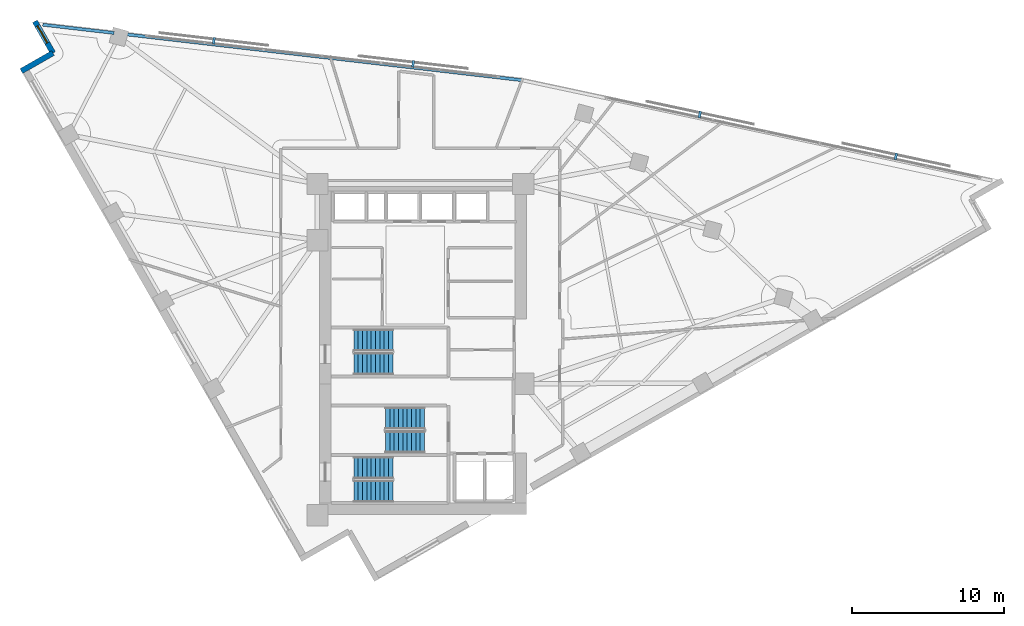
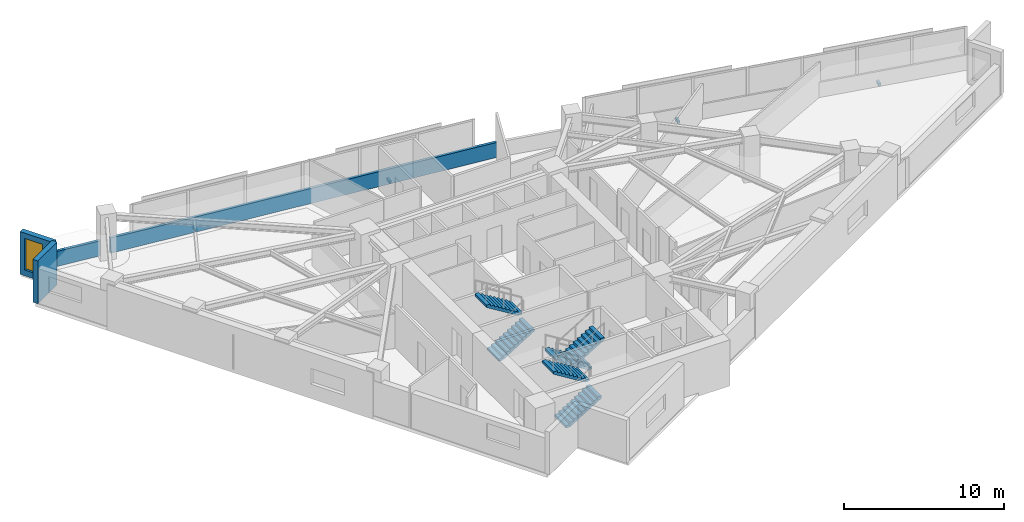
# One storey, part 12 of 14: 6 stair flights, 4 discrete accessories, 4 walls, 1 window, 1 opening, 3 elements without a shape of their own.
"""IFC4 building model written with IfcOpenShell, lengths in metres."""

from ifc_helpers import new_model, si_unit, direction, frame, frame_2d, origin, origin_2d, place, context, subcontext, project, spatial, polyline, rectangle, outline, extrude, material, layer, layer_set, type_object, element, fill, aggregate, save


model = new_model("IFC4")

# Units and contexts
model_context = context("Model", 3, precision=1e-05, world=origin(), true_north=direction((0.0, 1.0)))
body_context = subcontext(model_context, "Body", "Model", "MODEL_VIEW")
ifc_project = project(units=[si_unit("LENGTHUNIT", "METRE"), si_unit("AREAUNIT", "SQUARE_METRE"), si_unit("VOLUMEUNIT", "CUBIC_METRE"), si_unit("PLANEANGLEUNIT", "RADIAN"), si_unit("MASSUNIT", "GRAM", prefix="KILO")], contexts=[model_context])

# Site, building, storey
site_placement = place(None, origin())
site = spatial("IfcSite", under=ifc_project, at=site_placement, CompositionType="ELEMENT")
building_placement = place(site_placement, origin())
building = spatial("IfcBuilding", under=site, at=building_placement, Name="Narakoshi Arena Tower", CompositionType="ELEMENT")
storey_placement = place(building_placement, frame((0.0, 0.0, 211.4599609375)))
storey = spatial("IfcBuildingStorey", under=building, at=storey_placement, Name="L57", CompositionType="ELEMENT", Elevation=211.4599609375)

# Walls
ifc_material_1 = material(Name="Precast concrete C45/55", Category="concrete")
ifc_layer_1 = layer(ifc_material_1, 0.25)
ifc_layer_set_1 = layer_set([ifc_layer_1], Name="Precast concrete C45/55")
wall_type_1 = type_object("IfcWallType", Name="WL-PARA-250", PredefinedType="PARAPET", material=ifc_layer_set_1)
wall_1_placement = place(storey_placement, frame((85.42431640625, 63.33837890625, 0.0), z_axis=(0.0, 0.0, 1.0), x_axis=(-0.993364714048, 0.115006716693, 0.0)))
element("IfcWall", 1, at=wall_1_placement, inside=storey, type_object=wall_type_1, Name="L57 Hypotenuse Sill Upstand Parapet 2-01", PredefinedType="PARAPET", context=body_context, shape_type="SweptSolid", body=[
    extrude(rectangle(XDim=26.302001953125, YDim=0.199951171875, at=frame_2d((13.15087890625, 0.0))), origin(), (0.0, 0.0, 1.0), 1.150146484375),
])
wall_2_placement = place(storey_placement, frame((58.621826171875, 66.44140625, 0.0), z_axis=(0.0, 0.0, 1.0), x_axis=(-0.993362937665, 0.115022059074, 0.0)))
element("IfcWall", 2, at=wall_2_placement, inside=storey, type_object=wall_type_1, Name="L57 Hypotenuse Sill Upstand Parapet 2-02", PredefinedType="PARAPET", context=body_context, shape_type="SweptSolid", body=[
    extrude(rectangle(XDim=4.72705078125, YDim=0.199951171875, at=frame_2d((2.363525390625, 0.0))), origin(), (0.0, 0.0, 1.0), 1.150146484375),
])

# Wall, opening, window
ifc_layer_2 = layer(ifc_material_1, 0.419921875)
ifc_layer_set_2 = layer_set([ifc_layer_2], Name="Precast concrete C45/55")
wall_type_2 = type_object("IfcWallType", Name="WL-POD-420", PredefinedType="SOLIDWALL", material=ifc_layer_set_2)
wall_3_placement = place(storey_placement, frame((53.408203125, 67.2060546875, 0.0), z_axis=(0.0, 0.0, 1.0), x_axis=(0.496292324652, -0.868155474838, 0.0)))
wall_3 = element("IfcWall", 3, at=wall_3_placement, inside=storey, type_object=wall_type_2, Name="L57 Re-Entrant Corner Notch Wall NTN-1", PredefinedType="SOLIDWALL", context=body_context, shape_type="SweptSolid", body=[
    extrude(rectangle(XDim=2.399658203125, YDim=0.360107421875, at=frame_2d((1.19970703125, 0.0))), origin(), (0.0, 0.0, 1.0), 3.260009765625),
])
opening_placement = place(wall_3_placement, frame((0.340087890625, 0.0, 0.449951171875)))
opening = element("IfcOpeningElement", 4, at=opening_placement, cuts=wall_3, Name="Opening WN-06", PredefinedType="OPENING", context=body_context, shape_type="SweptSolid", body=[
    extrude(rectangle(XDim=1.300048828125, YDim=2.39990234375, at=frame_2d((0.64990234375, 1.199951171875))), frame((0.0, 0.18994140625, 0.0), z_axis=(0.0, -1.0, 0.0), x_axis=(1.0, 0.0, 0.0)), (0.0, 0.0, 1.0), 0.380126953125),
])
ifc_material_2 = material(Name="Bronze-tinted low-E laminated glass", Category="glass")
window_type = type_object("IfcWindowType", Name="WIN-NTC-16x24", PartitioningType="SINGLE_PANEL", PredefinedType="WINDOW", material=ifc_material_2)
window_placement = place(opening_placement, origin())
window = element("IfcWindow", 5, at=window_placement, inside=storey, type_object=window_type, Name="L57 Corner Notch Window NTN", OverallHeight=2.39990234375, OverallWidth=1.300048828125, PartitioningType="SINGLE_PANEL", PredefinedType="WINDOW", context=body_context, shape_type="SweptSolid", body=[
    extrude(rectangle(XDim=1.300048828125, YDim=2.39990234375, at=frame_2d((0.64990234375, 1.199951171875))), frame((0.0, 0.030029296875, 0.0), z_axis=(0.0, -1.0, 0.0), x_axis=(1.0, 0.0, 0.0)), (0.0, 0.0, 1.0), 0.06005859375),
])
fill(opening, window)

# Wall
wall_4_placement = place(storey_placement, frame((54.59912109375, 65.122802734375, 0.0), z_axis=(0.0, 0.0, 1.0), x_axis=(-0.86818053093, -0.4962484919, 0.0)))
element("IfcWall", 6, at=wall_4_placement, inside=storey, type_object=wall_type_2, Name="L57 Re-Entrant Corner Notch Wall NTN-2", PredefinedType="SOLIDWALL", context=body_context, shape_type="SweptSolid", body=[
    extrude(rectangle(XDim=2.39990234375, YDim=0.360107421875, at=frame_2d((1.199951171875, 0.0))), origin(), (0.0, 0.0, 1.0), 3.260009765625),
])

# Stair, stair flights
ifc_material_3 = material(Name="Concrete C45/55", Category="concrete")
stair_type = type_object("IfcStairType", Name="STR-CORE-352", PredefinedType="TWO_STRAIGHT_RUN_STAIR", material=ifc_material_3)
stair_1_placement = place(storey_placement, origin())
stair_1 = element("IfcStair", 7, at=stair_1_placement, inside=storey, type_object=stair_type, Name="L57 Core Escape Stair ST1", PredefinedType="TWO_STRAIGHT_RUN_STAIR")
stair_flight_type = type_object("IfcStairFlightType", Name="FLT-145-160", PredefinedType="STRAIGHT", material=ifc_material_1)
stair_flight_1_placement = place(storey_placement, frame((74.39990234375, 36.27490234375, 0.0), z_axis=(0.0, 0.0, 1.0), x_axis=(1.0, 0.0, 0.0)))
stair_flight_1 = element("IfcStairFlight", 8, at=stair_flight_1_placement, type_object=stair_flight_type, Name="ST1 flight 1", NumberOfRisers=10, NumberOfTreads=9, PredefinedType="STRAIGHT", RiserHeight=0.176, TreadLength=0.285, context=body_context, shape_type="SweptSolid", body=[
    extrude(outline(polyline([(0.0, 0.0), (0.0, 0.176025390625), (0.284912109375, 0.176025390625), (0.284912109375, 0.35205078125), (0.570068359375, 0.35205078125), (0.570068359375, 0.528076171875), (0.85498046875, 0.528076171875), (0.85498046875, 0.7041015625), (1.139892578125, 0.7041015625), (1.139892578125, 0.8798828125), (1.425048828125, 0.8798828125), (1.425048828125, 1.055908203125), (1.7099609375, 1.055908203125), (1.7099609375, 1.23193359375), (1.9951171875, 1.23193359375), (1.9951171875, 1.407958984375), (2.280029296875, 1.407958984375), (2.280029296875, 1.583984375), (2.56494140625, 1.583984375), (2.56494140625, 1.760009765625), (2.56494140625, 1.40771484375), (0.285400390625, 0.0), (0.0, 0.0)])), frame((0.0, 0.72509765625, 0.0), z_axis=(0.0, -1.0, 0.0), x_axis=(1.0, 0.0, 0.0)), (0.0, 0.0, 1.0), 1.449951171875),
])
stair_flight_2_placement = place(storey_placement, frame((76.965087890625, 37.824951171875, 1.760009765625), z_axis=(0.0, 0.0, 1.0), x_axis=(-1.0, 0.0, 0.0)))
stair_flight_2 = element("IfcStairFlight", 9, at=stair_flight_2_placement, type_object=stair_flight_type, Name="ST1 flight 2", NumberOfRisers=10, NumberOfTreads=9, PredefinedType="STRAIGHT", RiserHeight=0.176, TreadLength=0.285, context=body_context, shape_type="SweptSolid", body=[
    extrude(outline(polyline([(0.0, 0.0), (0.0, 0.176025390625), (0.284912109375, 0.176025390625), (0.284912109375, 0.35205078125), (0.570068359375, 0.35205078125), (0.570068359375, 0.528076171875), (0.85498046875, 0.528076171875), (0.85498046875, 0.7041015625), (1.139892578125, 0.7041015625), (1.139892578125, 0.8798828125), (1.425048828125, 0.8798828125), (1.425048828125, 1.055908203125), (1.7099609375, 1.055908203125), (1.7099609375, 1.23193359375), (1.9951171875, 1.23193359375), (1.9951171875, 1.407958984375), (2.280029296875, 1.407958984375), (2.280029296875, 1.583984375), (2.56494140625, 1.583984375), (2.56494140625, 1.760009765625), (2.56494140625, 1.40771484375), (0.285400390625, 0.0), (0.0, 0.0)])), frame((0.0, 0.72509765625, 0.0), z_axis=(0.0, -1.0, 0.0), x_axis=(1.0, 0.0, 0.0)), (0.0, 0.0, 1.0), 1.449951171875),
])
aggregate(stair_1, [stair_flight_1, stair_flight_2])

stair_2_placement = place(storey_placement, origin())
stair_2 = element("IfcStair", 10, at=stair_2_placement, inside=storey, type_object=stair_type, Name="L57 Core Escape Stair ST2", PredefinedType="TWO_STRAIGHT_RUN_STAIR")
stair_flight_3_placement = place(storey_placement, frame((79.050048828125, 41.074951171875, 0.0), z_axis=(0.0, 0.0, 1.0), x_axis=(-1.0, 0.0, 0.0)))
stair_flight_3 = element("IfcStairFlight", 11, at=stair_flight_3_placement, type_object=stair_flight_type, Name="ST2 flight 1", NumberOfRisers=10, NumberOfTreads=9, PredefinedType="STRAIGHT", RiserHeight=0.176, TreadLength=0.285, context=body_context, shape_type="SweptSolid", body=[
    extrude(outline(polyline([(0.0, 0.0), (0.0, 0.176025390625), (0.284912109375, 0.176025390625), (0.284912109375, 0.35205078125), (0.570068359375, 0.35205078125), (0.570068359375, 0.528076171875), (0.85498046875, 0.528076171875), (0.85498046875, 0.7041015625), (1.139892578125, 0.7041015625), (1.139892578125, 0.8798828125), (1.425048828125, 0.8798828125), (1.425048828125, 1.055908203125), (1.7099609375, 1.055908203125), (1.7099609375, 1.23193359375), (1.9951171875, 1.23193359375), (1.9951171875, 1.407958984375), (2.280029296875, 1.407958984375), (2.280029296875, 1.583984375), (2.56494140625, 1.583984375), (2.56494140625, 1.760009765625), (2.56494140625, 1.40771484375), (0.285400390625, 0.0), (0.0, 0.0)])), frame((0.0, 0.72509765625, 0.0), z_axis=(0.0, -1.0, 0.0), x_axis=(1.0, 0.0, 0.0)), (0.0, 0.0, 1.0), 1.449951171875),
])
stair_flight_4_placement = place(storey_placement, frame((76.485107421875, 39.52490234375, 1.760009765625), z_axis=(0.0, 0.0, 1.0), x_axis=(1.0, 0.0, 0.0)))
stair_flight_4 = element("IfcStairFlight", 12, at=stair_flight_4_placement, type_object=stair_flight_type, Name="ST2 flight 2", NumberOfRisers=10, NumberOfTreads=9, PredefinedType="STRAIGHT", RiserHeight=0.176, TreadLength=0.285, context=body_context, shape_type="SweptSolid", body=[
    extrude(outline(polyline([(0.0, 0.0), (0.0, 0.176025390625), (0.284912109375, 0.176025390625), (0.284912109375, 0.35205078125), (0.570068359375, 0.35205078125), (0.570068359375, 0.528076171875), (0.85498046875, 0.528076171875), (0.85498046875, 0.7041015625), (1.139892578125, 0.7041015625), (1.139892578125, 0.8798828125), (1.425048828125, 0.8798828125), (1.425048828125, 1.055908203125), (1.7099609375, 1.055908203125), (1.7099609375, 1.23193359375), (1.9951171875, 1.23193359375), (1.9951171875, 1.407958984375), (2.280029296875, 1.407958984375), (2.280029296875, 1.583984375), (2.56494140625, 1.583984375), (2.56494140625, 1.760009765625), (2.56494140625, 1.40771484375), (0.285400390625, 0.0), (0.0, 0.0)])), frame((0.0, 0.72509765625, 0.0), z_axis=(0.0, -1.0, 0.0), x_axis=(1.0, 0.0, 0.0)), (0.0, 0.0, 1.0), 1.449951171875),
])
aggregate(stair_2, [stair_flight_3, stair_flight_4])

stair_3_placement = place(storey_placement, origin())
stair_3 = element("IfcStair", 13, at=stair_3_placement, inside=storey, type_object=stair_type, Name="L57 Core Escape Stair ST3", PredefinedType="TWO_STRAIGHT_RUN_STAIR")
stair_flight_5_placement = place(storey_placement, frame((74.39990234375, 44.675048828125, 0.0), z_axis=(0.0, 0.0, 1.0), x_axis=(1.0, 0.0, 0.0)))
stair_flight_5 = element("IfcStairFlight", 14, at=stair_flight_5_placement, type_object=stair_flight_type, Name="ST3 flight 1", NumberOfRisers=10, NumberOfTreads=9, PredefinedType="STRAIGHT", RiserHeight=0.176, TreadLength=0.285, context=body_context, shape_type="SweptSolid", body=[
    extrude(outline(polyline([(0.0, 0.0), (0.0, 0.176025390625), (0.284912109375, 0.176025390625), (0.284912109375, 0.35205078125), (0.570068359375, 0.35205078125), (0.570068359375, 0.528076171875), (0.85498046875, 0.528076171875), (0.85498046875, 0.7041015625), (1.139892578125, 0.7041015625), (1.139892578125, 0.8798828125), (1.425048828125, 0.8798828125), (1.425048828125, 1.055908203125), (1.7099609375, 1.055908203125), (1.7099609375, 1.23193359375), (1.9951171875, 1.23193359375), (1.9951171875, 1.407958984375), (2.280029296875, 1.407958984375), (2.280029296875, 1.583984375), (2.56494140625, 1.583984375), (2.56494140625, 1.760009765625), (2.56494140625, 1.40771484375), (0.285400390625, 0.0), (0.0, 0.0)])), frame((0.0, 0.72509765625, 0.0), z_axis=(0.0, -1.0, 0.0), x_axis=(1.0, 0.0, 0.0)), (0.0, 0.0, 1.0), 1.449951171875),
])
stair_flight_6_placement = place(storey_placement, frame((76.965087890625, 46.22509765625, 1.760009765625), z_axis=(0.0, 0.0, 1.0), x_axis=(-1.0, 0.0, 0.0)))
stair_flight_6 = element("IfcStairFlight", 15, at=stair_flight_6_placement, type_object=stair_flight_type, Name="ST3 flight 2", NumberOfRisers=10, NumberOfTreads=9, PredefinedType="STRAIGHT", RiserHeight=0.176, TreadLength=0.285, context=body_context, shape_type="SweptSolid", body=[
    extrude(outline(polyline([(0.0, 0.0), (0.0, 0.176025390625), (0.284912109375, 0.176025390625), (0.284912109375, 0.35205078125), (0.570068359375, 0.35205078125), (0.570068359375, 0.528076171875), (0.85498046875, 0.528076171875), (0.85498046875, 0.7041015625), (1.139892578125, 0.7041015625), (1.139892578125, 0.8798828125), (1.425048828125, 0.8798828125), (1.425048828125, 1.055908203125), (1.7099609375, 1.055908203125), (1.7099609375, 1.23193359375), (1.9951171875, 1.23193359375), (1.9951171875, 1.407958984375), (2.280029296875, 1.407958984375), (2.280029296875, 1.583984375), (2.56494140625, 1.583984375), (2.56494140625, 1.760009765625), (2.56494140625, 1.40771484375), (0.285400390625, 0.0), (0.0, 0.0)])), frame((0.0, 0.72509765625, 0.0), z_axis=(0.0, -1.0, 0.0), x_axis=(1.0, 0.0, 0.0)), (0.0, 0.0, 1.0), 1.449951171875),
])
aggregate(stair_3, [stair_flight_5, stair_flight_6])

# Discrete accessories
ifc_material_4 = material(Name="Structural steel S355J2", Category="steel")
discrete_accessory_type = type_object("IfcDiscreteAccessoryType", Name="ACC-BRK-SCR", PredefinedType="BRACKET", material=ifc_material_4)
for number, where, z_axis, x_axis, name in (
    (16, (110.078125, 58.316650390625, -0.080078125), (0.0, 0.0, 1.0), (-0.977936632473, 0.208901754101, 0.0), "L57 Solar Screen Support Bracket SHD-L57-SCR1-1"),
    (17, (97.169189453125, 61.07421875, -0.080078125), (0.0, 0.0, 1.0), (-0.977936632473, 0.208901754101, 0.0), "L57 Solar Screen Support Bracket SHD-L57-SCR1-2"),
    (18, (78.2998046875, 64.40478515625, -0.080078125), (0.0, 0.0, 1.0), (-0.993364739053, 0.115006500715, 0.0), "L57 Solar Screen Support Bracket SHD-L57-SCR2-1"),
    (19, (65.187255859375, 65.9228515625, -0.080078125), (0.0, 0.0, 1.0), (-0.993364739053, 0.115006500715, 0.0), "L57 Solar Screen Support Bracket SHD-L57-SCR2-2"),
):
    element("IfcDiscreteAccessory", number, at=place(storey_placement, frame(where, z_axis=z_axis, x_axis=x_axis)), inside=storey, type_object=discrete_accessory_type, Name=name, PredefinedType="BRACKET", context=body_context, shape_type="SweptSolid", body=[
        extrude(rectangle(XDim=0.159912109375, YDim=0.43994140625, at=origin_2d()), origin(), (0.0, 0.0, 1.0), 0.199951171875),
    ])

save(model, "model.ifc")
